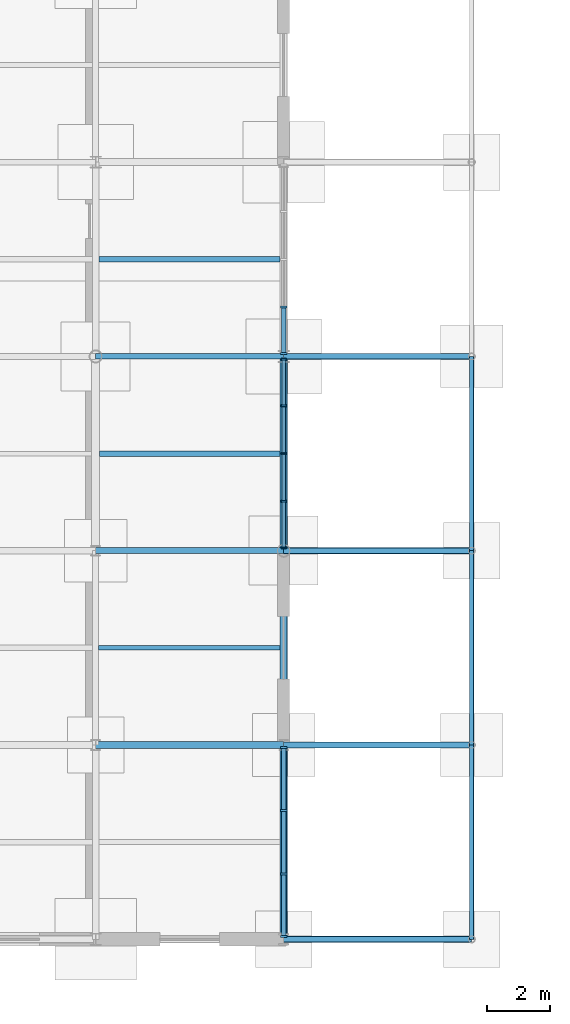
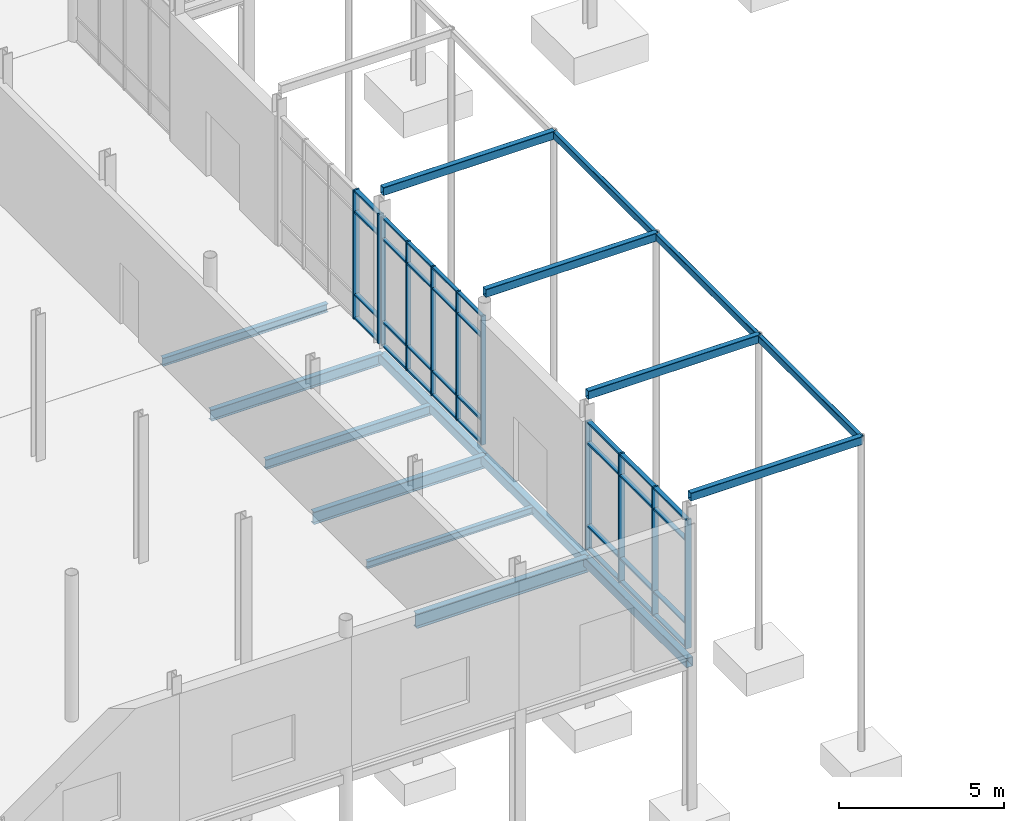
# One storey, part 29 of 98: 43 members, 16 beams, 3 elements without a shape of their own.
"""IFC4 building model written with IfcOpenShell, lengths in metres."""

from ifc_helpers import new_model, si_unit, direction, frame, origin, origin_2d, place, context, subcontext, project, spatial, rectangle, hollow_rectangle, i_section, extrude, material, layer, layer_set, material_profile, profile_set, type_object, element, aggregate, save


model = new_model("IFC4")

# Units and contexts
model_context = context("Model", 3, precision=1e-05, world=origin(), true_north=direction((0.0, 1.0)))
body_context = subcontext(model_context, "Body", "Model", "MODEL_VIEW")
ifc_project = project(units=[si_unit("LENGTHUNIT", "METRE"), si_unit("AREAUNIT", "SQUARE_METRE"), si_unit("VOLUMEUNIT", "CUBIC_METRE"), si_unit("PLANEANGLEUNIT", "RADIAN"), si_unit("MASSUNIT", "GRAM", prefix="KILO")], contexts=[model_context])

# Site, building, storey
site_placement = place(None, origin())
site = spatial("IfcSite", under=ifc_project, at=site_placement, CompositionType="ELEMENT")
building_placement = place(site_placement, origin())
building = spatial("IfcBuilding", under=site, at=building_placement, Name="Mirzam Square Science Centre", CompositionType="ELEMENT")
storey_placement = place(building_placement, origin())
storey = spatial("IfcBuildingStorey", under=building, at=storey_placement, Name="L00", CompositionType="ELEMENT", Elevation=0.0)

# Beams
ifc_material_1 = material(Name="Steel S355", Category="steel")
ifc_material_profile_1 = material_profile(ifc_material_1, i_section(OverallWidth=0.1787109375, OverallDepth=0.409423828125, WebThickness=0.0087890625, FlangeThickness=0.014404296875, FilletRadius=0.01025390625, at=origin_2d()), Name="406x178x67UB")
ifc_profile_set_1 = profile_set([ifc_material_profile_1], Name="Steel S355")
beam_type_1 = type_object("IfcBeamType", Name="BM-UB406", PredefinedType="BEAM", material=ifc_profile_set_1)
beam_1_placement = place(storey_placement, frame((24.0, 18.60009765625, -0.504638671875), z_axis=(1.0, 0.0, 0.0), x_axis=(0.0, 1.0, 0.0)))
element("IfcBeam", 1, at=beam_1_placement, inside=storey, type_object=beam_type_1, Name="L00 girder X5-4", PredefinedType="BEAM", context=body_context, shape_type="SweptSolid", body=[
    extrude(i_section(OverallWidth=0.1787109375, OverallDepth=0.409423828125, WebThickness=0.0087890625, FlangeThickness=0.014404296875, FilletRadius=0.01025390625, at=origin_2d()), origin(), (0.0, 0.0, 1.0), 6.0),
])
ifc_material_profile_2 = material_profile(ifc_material_1, i_section(OverallWidth=0.19140625, OverallDepth=0.4599609375, WebThickness=0.010009765625, FlangeThickness=0.01611328125, FilletRadius=0.01025390625, at=origin_2d()), Name="457x191x82UB")
ifc_profile_set_2 = profile_set([ifc_material_profile_2], Name="Steel S355")
beam_type_2 = type_object("IfcBeamType", Name="BM-UB457", PredefinedType="BEAM", material=ifc_profile_set_2)
beam_2_placement = place(storey_placement, frame((24.0, 12.39990234375, -0.530029296875), z_axis=(1.0, 0.0, 0.0), x_axis=(0.0, 1.0, 0.0)))
element("IfcBeam", 2, at=beam_2_placement, inside=storey, type_object=beam_type_2, Name="L00 girder X5-3", PredefinedType="BEAM", context=body_context, shape_type="SweptSolid", body=[
    extrude(i_section(OverallWidth=0.19140625, OverallDepth=0.4599609375, WebThickness=0.010009765625, FlangeThickness=0.01611328125, FilletRadius=0.01025390625, at=origin_2d()), origin(), (0.0, 0.0, 1.0), 6.0),
])
ifc_material_profile_3 = material_profile(ifc_material_1, i_section(OverallWidth=0.2099609375, OverallDepth=0.53662109375, WebThickness=0.0107421875, FlangeThickness=0.017333984375, FilletRadius=0.0126953125, at=origin_2d()), Name="533x210x101UB")
ifc_profile_set_3 = profile_set([ifc_material_profile_3], Name="Steel S355")
beam_type_3 = type_object("IfcBeamType", Name="BM-UB533", PredefinedType="BEAM", material=ifc_profile_set_3)
beam_3_placement = place(storey_placement, frame((24.0, 6.199951171875, -0.568359375), z_axis=(1.0, 0.0, 0.0), x_axis=(0.0, 1.0, 0.0)))
element("IfcBeam", 3, at=beam_3_placement, inside=storey, type_object=beam_type_3, Name="L00 girder X5-2", PredefinedType="BEAM", context=body_context, shape_type="SweptSolid", body=[
    extrude(i_section(OverallWidth=0.2099609375, OverallDepth=0.53662109375, WebThickness=0.0107421875, FlangeThickness=0.017333984375, FilletRadius=0.0126953125, at=origin_2d()), origin(), (0.0, 0.0, 1.0), 6.0),
])

# Curtain wall, members
ifc_material_2 = material(Name="Anodised Aluminium and Low-E Solar Glass", Category="aluminium")
ifc_layer_1 = layer(ifc_material_2, 0.159912109375)
ifc_layer_set_1 = layer_set([ifc_layer_1], Name="CW-COURT-B")
curtain_wall_type_1 = type_object("IfcCurtainWallType", Name="CW-COURT-B", PredefinedType="USERDEFINED", material=ifc_layer_set_1)
curtain_wall_1_placement = place(storey_placement, origin())
curtain_wall_1 = element("IfcCurtainWall", 4, at=curtain_wall_1_placement, inside=storey, type_object=curtain_wall_type_1, Name="L00 unitised curtain wall 37", ObjectType="UNITISED CURTAIN WALL", PredefinedType="USERDEFINED")
ifc_material_3 = material(Name="Anodised Architectural Aluminium 6063-T6", Category="aluminium")
ifc_material_profile_4 = material_profile(ifc_material_3, rectangle(XDim=0.06005859375, YDim=0.159912109375, at=origin_2d()), Name="ALU-MULL-160x60x4")
ifc_profile_set_4 = profile_set([ifc_material_profile_4], Name="Anodised Architectural Aluminium 6063-T6")
member_type_1 = type_object("IfcMemberType", Name="CWM-160", PredefinedType="MULLION", material=ifc_profile_set_4)
member_1_placement = place(storey_placement, frame((30.0, 12.485107421875, 0.0), z_axis=(0.0, 0.0, 1.0), x_axis=(0.0, 1.0, 0.0)))
member_1 = element("IfcMember", 5, at=member_1_placement, type_object=member_type_1, Name="CW-04 mullion 1", PredefinedType="MULLION", context=body_context, shape_type="SweptSolid", body=[
    extrude(rectangle(XDim=0.06005859375, YDim=0.159912109375, at=origin_2d()), origin(), (0.0, 0.0, 1.0), 4.760009765625),
])
member_2_placement = place(storey_placement, frame((30.0, 13.9775390625, 0.0), z_axis=(0.0, 0.0, 1.0), x_axis=(0.0, 1.0, 0.0)))
member_2 = element("IfcMember", 6, at=member_2_placement, type_object=member_type_1, Name="CW-04 mullion 2", PredefinedType="MULLION", context=body_context, shape_type="SweptSolid", body=[
    extrude(rectangle(XDim=0.06005859375, YDim=0.159912109375, at=origin_2d()), origin(), (0.0, 0.0, 1.0), 4.760009765625),
])
member_3_placement = place(storey_placement, frame((30.0, 15.5, 0.0), z_axis=(0.0, 0.0, 1.0), x_axis=(0.0, 1.0, 0.0)))
member_3 = element("IfcMember", 7, at=member_3_placement, type_object=member_type_1, Name="CW-04 mullion 3", PredefinedType="MULLION", context=body_context, shape_type="SweptSolid", body=[
    extrude(rectangle(XDim=0.06005859375, YDim=0.159912109375, at=origin_2d()), origin(), (0.0, 0.0, 1.0), 4.760009765625),
])
member_4_placement = place(storey_placement, frame((30.0, 17.0224609375, 0.0), z_axis=(0.0, 0.0, 1.0), x_axis=(0.0, 1.0, 0.0)))
member_4 = element("IfcMember", 8, at=member_4_placement, type_object=member_type_1, Name="CW-04 mullion 4", PredefinedType="MULLION", context=body_context, shape_type="SweptSolid", body=[
    extrude(rectangle(XDim=0.06005859375, YDim=0.159912109375, at=origin_2d()), origin(), (0.0, 0.0, 1.0), 4.760009765625),
])
member_5_placement = place(storey_placement, frame((30.0, 18.514892578125, 0.0), z_axis=(0.0, 0.0, 1.0), x_axis=(0.0, 1.0, 0.0)))
member_5 = element("IfcMember", 9, at=member_5_placement, type_object=member_type_1, Name="CW-04 mullion 5", PredefinedType="MULLION", context=body_context, shape_type="SweptSolid", body=[
    extrude(rectangle(XDim=0.06005859375, YDim=0.159912109375, at=origin_2d()), origin(), (0.0, 0.0, 1.0), 4.760009765625),
])

ifc_layer_2 = layer(ifc_material_2, 0.199951171875)
ifc_layer_set_2 = layer_set([ifc_layer_2], Name="CW-PARK-B")
curtain_wall_type_2 = type_object("IfcCurtainWallType", Name="CW-PARK-B", PredefinedType="USERDEFINED", material=ifc_layer_set_2)
curtain_wall_2_placement = place(storey_placement, origin())
curtain_wall_2 = element("IfcCurtainWall", 10, at=curtain_wall_2_placement, inside=storey, type_object=curtain_wall_type_2, Name="L00 unitised curtain wall 36", ObjectType="UNITISED CURTAIN WALL", PredefinedType="USERDEFINED")
ifc_material_profile_5 = material_profile(ifc_material_3, rectangle(XDim=0.06494140625, YDim=0.199951171875, at=origin_2d()), Name="ALU-MULL-200x65x5")
ifc_profile_set_5 = profile_set([ifc_material_profile_5], Name="Anodised Architectural Aluminium 6063-T6")
member_type_2 = type_object("IfcMemberType", Name="CWM-200", PredefinedType="MULLION", material=ifc_profile_set_5)
member_6_placement = place(storey_placement, frame((30.0, 0.08740234375, 0.0), z_axis=(0.0, 0.0, 1.0), x_axis=(0.0, 1.0, 0.0)))
member_6 = element("IfcMember", 11, at=member_6_placement, type_object=member_type_2, Name="CW-02 mullion 1", PredefinedType="MULLION", context=body_context, shape_type="SweptSolid", body=[
    extrude(rectangle(XDim=0.06494140625, YDim=0.199951171875, at=origin_2d()), origin(), (0.0, 0.0, 1.0), 4.760009765625),
])
member_7_placement = place(storey_placement, frame((30.0, 2.0849609375, 0.0), z_axis=(0.0, 0.0, 1.0), x_axis=(0.0, 1.0, 0.0)))
member_7 = element("IfcMember", 12, at=member_7_placement, type_object=member_type_2, Name="CW-02 mullion 2", PredefinedType="MULLION", context=body_context, shape_type="SweptSolid", body=[
    extrude(rectangle(XDim=0.06494140625, YDim=0.199951171875, at=origin_2d()), origin(), (0.0, 0.0, 1.0), 4.760009765625),
])
member_8_placement = place(storey_placement, frame((30.0, 4.114990234375, 0.0), z_axis=(0.0, 0.0, 1.0), x_axis=(0.0, 1.0, 0.0)))
member_8 = element("IfcMember", 13, at=member_8_placement, type_object=member_type_2, Name="CW-02 mullion 3", PredefinedType="MULLION", context=body_context, shape_type="SweptSolid", body=[
    extrude(rectangle(XDim=0.06494140625, YDim=0.199951171875, at=origin_2d()), origin(), (0.0, 0.0, 1.0), 4.760009765625),
])
member_9_placement = place(storey_placement, frame((30.0, 6.112548828125, 0.0), z_axis=(0.0, 0.0, 1.0), x_axis=(0.0, 1.0, 0.0)))
member_9 = element("IfcMember", 14, at=member_9_placement, type_object=member_type_2, Name="CW-02 mullion 4", PredefinedType="MULLION", context=body_context, shape_type="SweptSolid", body=[
    extrude(rectangle(XDim=0.06494140625, YDim=0.199951171875, at=origin_2d()), origin(), (0.0, 0.0, 1.0), 4.760009765625),
])

ifc_layer_3 = layer(ifc_material_2, 0.199951171875)
ifc_layer_set_3 = layer_set([ifc_layer_3], Name="CW-EAST-A")
curtain_wall_type_3 = type_object("IfcCurtainWallType", Name="CW-EAST-A", PredefinedType="USERDEFINED", material=ifc_layer_set_3)
curtain_wall_3_placement = place(storey_placement, origin())
curtain_wall_3 = element("IfcCurtainWall", 15, at=curtain_wall_3_placement, inside=storey, type_object=curtain_wall_type_3, Name="L00 unitised curtain wall 38", ObjectType="UNITISED CURTAIN WALL", PredefinedType="USERDEFINED")
member_10_placement = place(storey_placement, frame((30.0, 18.6875, 0.0), z_axis=(0.0, 0.0, 1.0), x_axis=(0.0, 1.0, 0.0)))
member_10 = element("IfcMember", 16, at=member_10_placement, type_object=member_type_2, Name="CW-05 mullion 1", PredefinedType="MULLION", context=body_context, shape_type="SweptSolid", body=[
    extrude(rectangle(XDim=0.06494140625, YDim=0.199951171875, at=origin_2d()), origin(), (0.0, 0.0, 1.0), 4.760009765625),
])
member_11_placement = place(storey_placement, frame((30.0, 20.177490234375, 0.0), z_axis=(0.0, 0.0, 1.0), x_axis=(0.0, 1.0, 0.0)))
member_11 = element("IfcMember", 17, at=member_11_placement, type_object=member_type_2, Name="CW-05 mullion 2", PredefinedType="MULLION", context=body_context, shape_type="SweptSolid", body=[
    extrude(rectangle(XDim=0.06494140625, YDim=0.199951171875, at=origin_2d()), origin(), (0.0, 0.0, 1.0), 4.760009765625),
])

# Member
ifc_material_profile_6 = material_profile(ifc_material_3, rectangle(XDim=0.1201171875, YDim=0.06005859375, at=origin_2d()), Name="ALU-TRAN-120x60x4")
ifc_profile_set_6 = profile_set([ifc_material_profile_6], Name="Anodised Architectural Aluminium 6063-T6")
member_type_3 = type_object("IfcMemberType", Name="CWT-120", PredefinedType="USERDEFINED", material=ifc_profile_set_6)
member_12_placement = place(storey_placement, frame((30.0, 12.514892578125, 0.030029296875), z_axis=(0.0, 1.0, 0.0), x_axis=(-1.0, 0.0, 0.0)))
member_12 = element("IfcMember", 18, at=member_12_placement, type_object=member_type_3, Name="CW-04 transom 1.1", ObjectType="TRANSOM", PredefinedType="USERDEFINED", context=body_context, shape_type="SweptSolid", body=[
    extrude(rectangle(XDim=0.1201171875, YDim=0.06005859375, at=origin_2d()), origin(), (0.0, 0.0, 1.0), 1.4326171875),
])

member_13_placement = place(storey_placement, frame((30.0, 12.514892578125, 0.89990234375), z_axis=(0.0, 1.0, 0.0), x_axis=(-1.0, 0.0, 0.0)))
member_13 = element("IfcMember", 19, at=member_13_placement, type_object=member_type_3, Name="CW-04 transom 1.2", ObjectType="TRANSOM", PredefinedType="USERDEFINED", context=body_context, shape_type="SweptSolid", body=[
    extrude(rectangle(XDim=0.1201171875, YDim=0.06005859375, at=origin_2d()), origin(), (0.0, 0.0, 1.0), 1.4326171875),
])

member_14_placement = place(storey_placement, frame((30.0, 12.514892578125, 3.9599609375), z_axis=(0.0, 1.0, 0.0), x_axis=(-1.0, 0.0, 0.0)))
member_14 = element("IfcMember", 20, at=member_14_placement, type_object=member_type_3, Name="CW-04 transom 1.3", ObjectType="TRANSOM", PredefinedType="USERDEFINED", context=body_context, shape_type="SweptSolid", body=[
    extrude(rectangle(XDim=0.1201171875, YDim=0.06005859375, at=origin_2d()), origin(), (0.0, 0.0, 1.0), 1.4326171875),
])

member_15_placement = place(storey_placement, frame((30.0, 12.514892578125, 4.72998046875), z_axis=(0.0, 1.0, 0.0), x_axis=(-1.0, 0.0, 0.0)))
member_15 = element("IfcMember", 21, at=member_15_placement, type_object=member_type_3, Name="CW-04 transom 1.4", ObjectType="TRANSOM", PredefinedType="USERDEFINED", context=body_context, shape_type="SweptSolid", body=[
    extrude(rectangle(XDim=0.1201171875, YDim=0.06005859375, at=origin_2d()), origin(), (0.0, 0.0, 1.0), 1.4326171875),
])

member_16_placement = place(storey_placement, frame((30.0, 14.007568359375, 0.030029296875), z_axis=(0.0, 1.0, 0.0), x_axis=(-1.0, 0.0, 0.0)))
member_16 = element("IfcMember", 22, at=member_16_placement, type_object=member_type_3, Name="CW-04 transom 2.1", ObjectType="TRANSOM", PredefinedType="USERDEFINED", context=body_context, shape_type="SweptSolid", body=[
    extrude(rectangle(XDim=0.1201171875, YDim=0.06005859375, at=origin_2d()), origin(), (0.0, 0.0, 1.0), 1.46240234375),
])

member_17_placement = place(storey_placement, frame((30.0, 14.007568359375, 0.89990234375), z_axis=(0.0, 1.0, 0.0), x_axis=(-1.0, 0.0, 0.0)))
member_17 = element("IfcMember", 23, at=member_17_placement, type_object=member_type_3, Name="CW-04 transom 2.2", ObjectType="TRANSOM", PredefinedType="USERDEFINED", context=body_context, shape_type="SweptSolid", body=[
    extrude(rectangle(XDim=0.1201171875, YDim=0.06005859375, at=origin_2d()), origin(), (0.0, 0.0, 1.0), 1.46240234375),
])

member_18_placement = place(storey_placement, frame((30.0, 14.007568359375, 3.9599609375), z_axis=(0.0, 1.0, 0.0), x_axis=(-1.0, 0.0, 0.0)))
member_18 = element("IfcMember", 24, at=member_18_placement, type_object=member_type_3, Name="CW-04 transom 2.3", ObjectType="TRANSOM", PredefinedType="USERDEFINED", context=body_context, shape_type="SweptSolid", body=[
    extrude(rectangle(XDim=0.1201171875, YDim=0.06005859375, at=origin_2d()), origin(), (0.0, 0.0, 1.0), 1.46240234375),
])

member_19_placement = place(storey_placement, frame((30.0, 14.007568359375, 4.72998046875), z_axis=(0.0, 1.0, 0.0), x_axis=(-1.0, 0.0, 0.0)))
member_19 = element("IfcMember", 25, at=member_19_placement, type_object=member_type_3, Name="CW-04 transom 2.4", ObjectType="TRANSOM", PredefinedType="USERDEFINED", context=body_context, shape_type="SweptSolid", body=[
    extrude(rectangle(XDim=0.1201171875, YDim=0.06005859375, at=origin_2d()), origin(), (0.0, 0.0, 1.0), 1.46240234375),
])

member_20_placement = place(storey_placement, frame((30.0, 15.530029296875, 0.030029296875), z_axis=(0.0, 1.0, 0.0), x_axis=(-1.0, 0.0, 0.0)))
member_20 = element("IfcMember", 26, at=member_20_placement, type_object=member_type_3, Name="CW-04 transom 3.1", ObjectType="TRANSOM", PredefinedType="USERDEFINED", context=body_context, shape_type="SweptSolid", body=[
    extrude(rectangle(XDim=0.1201171875, YDim=0.06005859375, at=origin_2d()), origin(), (0.0, 0.0, 1.0), 1.46240234375),
])

member_21_placement = place(storey_placement, frame((30.0, 15.530029296875, 0.89990234375), z_axis=(0.0, 1.0, 0.0), x_axis=(-1.0, 0.0, 0.0)))
member_21 = element("IfcMember", 27, at=member_21_placement, type_object=member_type_3, Name="CW-04 transom 3.2", ObjectType="TRANSOM", PredefinedType="USERDEFINED", context=body_context, shape_type="SweptSolid", body=[
    extrude(rectangle(XDim=0.1201171875, YDim=0.06005859375, at=origin_2d()), origin(), (0.0, 0.0, 1.0), 1.46240234375),
])

member_22_placement = place(storey_placement, frame((30.0, 15.530029296875, 3.9599609375), z_axis=(0.0, 1.0, 0.0), x_axis=(-1.0, 0.0, 0.0)))
member_22 = element("IfcMember", 28, at=member_22_placement, type_object=member_type_3, Name="CW-04 transom 3.3", ObjectType="TRANSOM", PredefinedType="USERDEFINED", context=body_context, shape_type="SweptSolid", body=[
    extrude(rectangle(XDim=0.1201171875, YDim=0.06005859375, at=origin_2d()), origin(), (0.0, 0.0, 1.0), 1.46240234375),
])

member_23_placement = place(storey_placement, frame((30.0, 15.530029296875, 4.72998046875), z_axis=(0.0, 1.0, 0.0), x_axis=(-1.0, 0.0, 0.0)))
member_23 = element("IfcMember", 29, at=member_23_placement, type_object=member_type_3, Name="CW-04 transom 3.4", ObjectType="TRANSOM", PredefinedType="USERDEFINED", context=body_context, shape_type="SweptSolid", body=[
    extrude(rectangle(XDim=0.1201171875, YDim=0.06005859375, at=origin_2d()), origin(), (0.0, 0.0, 1.0), 1.46240234375),
])

member_24_placement = place(storey_placement, frame((30.0, 17.052490234375, 0.030029296875), z_axis=(0.0, 1.0, 0.0), x_axis=(-1.0, 0.0, 0.0)))
member_24 = element("IfcMember", 30, at=member_24_placement, type_object=member_type_3, Name="CW-04 transom 4.1", ObjectType="TRANSOM", PredefinedType="USERDEFINED", context=body_context, shape_type="SweptSolid", body=[
    extrude(rectangle(XDim=0.1201171875, YDim=0.06005859375, at=origin_2d()), origin(), (0.0, 0.0, 1.0), 1.4326171875),
])

member_25_placement = place(storey_placement, frame((30.0, 17.052490234375, 0.89990234375), z_axis=(0.0, 1.0, 0.0), x_axis=(-1.0, 0.0, 0.0)))
member_25 = element("IfcMember", 31, at=member_25_placement, type_object=member_type_3, Name="CW-04 transom 4.2", ObjectType="TRANSOM", PredefinedType="USERDEFINED", context=body_context, shape_type="SweptSolid", body=[
    extrude(rectangle(XDim=0.1201171875, YDim=0.06005859375, at=origin_2d()), origin(), (0.0, 0.0, 1.0), 1.4326171875),
])

member_26_placement = place(storey_placement, frame((30.0, 17.052490234375, 3.9599609375), z_axis=(0.0, 1.0, 0.0), x_axis=(-1.0, 0.0, 0.0)))
member_26 = element("IfcMember", 32, at=member_26_placement, type_object=member_type_3, Name="CW-04 transom 4.3", ObjectType="TRANSOM", PredefinedType="USERDEFINED", context=body_context, shape_type="SweptSolid", body=[
    extrude(rectangle(XDim=0.1201171875, YDim=0.06005859375, at=origin_2d()), origin(), (0.0, 0.0, 1.0), 1.4326171875),
])

member_27_placement = place(storey_placement, frame((30.0, 17.052490234375, 4.72998046875), z_axis=(0.0, 1.0, 0.0), x_axis=(-1.0, 0.0, 0.0)))
member_27 = element("IfcMember", 33, at=member_27_placement, type_object=member_type_3, Name="CW-04 transom 4.4", ObjectType="TRANSOM", PredefinedType="USERDEFINED", context=body_context, shape_type="SweptSolid", body=[
    extrude(rectangle(XDim=0.1201171875, YDim=0.06005859375, at=origin_2d()), origin(), (0.0, 0.0, 1.0), 1.4326171875),
])

aggregate(curtain_wall_1, [member_1, member_2, member_3, member_4, member_5, member_12, member_13, member_14, member_15, member_16, member_17, member_18, member_19, member_20, member_21, member_22, member_23, member_24, member_25, member_26, member_27])

ifc_material_profile_7 = material_profile(ifc_material_3, rectangle(XDim=0.14990234375, YDim=0.06494140625, at=origin_2d()), Name="ALU-TRAN-150x65x4")
ifc_profile_set_7 = profile_set([ifc_material_profile_7], Name="Anodised Architectural Aluminium 6063-T6")
member_type_4 = type_object("IfcMemberType", Name="CWT-150", PredefinedType="USERDEFINED", material=ifc_profile_set_7)
member_28_placement = place(storey_placement, frame((30.0, 0.1201171875, 0.032470703125), z_axis=(0.0, 1.0, 0.0), x_axis=(-1.0, 0.0, 0.0)))
member_28 = element("IfcMember", 34, at=member_28_placement, type_object=member_type_4, Name="CW-02 transom 1.1", ObjectType="TRANSOM", PredefinedType="USERDEFINED", context=body_context, shape_type="SweptSolid", body=[
    extrude(rectangle(XDim=0.14990234375, YDim=0.06494140625, at=origin_2d()), origin(), (0.0, 0.0, 1.0), 1.932373046875),
])

member_29_placement = place(storey_placement, frame((30.0, 0.1201171875, 0.89990234375), z_axis=(0.0, 1.0, 0.0), x_axis=(-1.0, 0.0, 0.0)))
member_29 = element("IfcMember", 35, at=member_29_placement, type_object=member_type_4, Name="CW-02 transom 1.2", ObjectType="TRANSOM", PredefinedType="USERDEFINED", context=body_context, shape_type="SweptSolid", body=[
    extrude(rectangle(XDim=0.14990234375, YDim=0.06494140625, at=origin_2d()), origin(), (0.0, 0.0, 1.0), 1.932373046875),
])

member_30_placement = place(storey_placement, frame((30.0, 0.1201171875, 3.9599609375), z_axis=(0.0, 1.0, 0.0), x_axis=(-1.0, 0.0, 0.0)))
member_30 = element("IfcMember", 36, at=member_30_placement, type_object=member_type_4, Name="CW-02 transom 1.3", ObjectType="TRANSOM", PredefinedType="USERDEFINED", context=body_context, shape_type="SweptSolid", body=[
    extrude(rectangle(XDim=0.14990234375, YDim=0.06494140625, at=origin_2d()), origin(), (0.0, 0.0, 1.0), 1.932373046875),
])

member_31_placement = place(storey_placement, frame((30.0, 0.1201171875, 4.7275390625), z_axis=(0.0, 1.0, 0.0), x_axis=(-1.0, 0.0, 0.0)))
member_31 = element("IfcMember", 37, at=member_31_placement, type_object=member_type_4, Name="CW-02 transom 1.4", ObjectType="TRANSOM", PredefinedType="USERDEFINED", context=body_context, shape_type="SweptSolid", body=[
    extrude(rectangle(XDim=0.14990234375, YDim=0.06494140625, at=origin_2d()), origin(), (0.0, 0.0, 1.0), 1.932373046875),
])

member_32_placement = place(storey_placement, frame((30.0, 2.117431640625, 0.032470703125), z_axis=(0.0, 1.0, 0.0), x_axis=(-1.0, 0.0, 0.0)))
member_32 = element("IfcMember", 38, at=member_32_placement, type_object=member_type_4, Name="CW-02 transom 2.1", ObjectType="TRANSOM", PredefinedType="USERDEFINED", context=body_context, shape_type="SweptSolid", body=[
    extrude(rectangle(XDim=0.14990234375, YDim=0.06494140625, at=origin_2d()), origin(), (0.0, 0.0, 1.0), 1.965087890625),
])

member_33_placement = place(storey_placement, frame((30.0, 2.117431640625, 0.89990234375), z_axis=(0.0, 1.0, 0.0), x_axis=(-1.0, 0.0, 0.0)))
member_33 = element("IfcMember", 39, at=member_33_placement, type_object=member_type_4, Name="CW-02 transom 2.2", ObjectType="TRANSOM", PredefinedType="USERDEFINED", context=body_context, shape_type="SweptSolid", body=[
    extrude(rectangle(XDim=0.14990234375, YDim=0.06494140625, at=origin_2d()), origin(), (0.0, 0.0, 1.0), 1.965087890625),
])

member_34_placement = place(storey_placement, frame((30.0, 2.117431640625, 3.9599609375), z_axis=(0.0, 1.0, 0.0), x_axis=(-1.0, 0.0, 0.0)))
member_34 = element("IfcMember", 40, at=member_34_placement, type_object=member_type_4, Name="CW-02 transom 2.3", ObjectType="TRANSOM", PredefinedType="USERDEFINED", context=body_context, shape_type="SweptSolid", body=[
    extrude(rectangle(XDim=0.14990234375, YDim=0.06494140625, at=origin_2d()), origin(), (0.0, 0.0, 1.0), 1.965087890625),
])

member_35_placement = place(storey_placement, frame((30.0, 2.117431640625, 4.7275390625), z_axis=(0.0, 1.0, 0.0), x_axis=(-1.0, 0.0, 0.0)))
member_35 = element("IfcMember", 41, at=member_35_placement, type_object=member_type_4, Name="CW-02 transom 2.4", ObjectType="TRANSOM", PredefinedType="USERDEFINED", context=body_context, shape_type="SweptSolid", body=[
    extrude(rectangle(XDim=0.14990234375, YDim=0.06494140625, at=origin_2d()), origin(), (0.0, 0.0, 1.0), 1.965087890625),
])

member_36_placement = place(storey_placement, frame((30.0, 4.1474609375, 0.032470703125), z_axis=(0.0, 1.0, 0.0), x_axis=(-1.0, 0.0, 0.0)))
member_36 = element("IfcMember", 42, at=member_36_placement, type_object=member_type_4, Name="CW-02 transom 3.1", ObjectType="TRANSOM", PredefinedType="USERDEFINED", context=body_context, shape_type="SweptSolid", body=[
    extrude(rectangle(XDim=0.14990234375, YDim=0.06494140625, at=origin_2d()), origin(), (0.0, 0.0, 1.0), 1.9326171875),
])

member_37_placement = place(storey_placement, frame((30.0, 4.1474609375, 0.89990234375), z_axis=(0.0, 1.0, 0.0), x_axis=(-1.0, 0.0, 0.0)))
member_37 = element("IfcMember", 43, at=member_37_placement, type_object=member_type_4, Name="CW-02 transom 3.2", ObjectType="TRANSOM", PredefinedType="USERDEFINED", context=body_context, shape_type="SweptSolid", body=[
    extrude(rectangle(XDim=0.14990234375, YDim=0.06494140625, at=origin_2d()), origin(), (0.0, 0.0, 1.0), 1.9326171875),
])

member_38_placement = place(storey_placement, frame((30.0, 4.1474609375, 3.9599609375), z_axis=(0.0, 1.0, 0.0), x_axis=(-1.0, 0.0, 0.0)))
member_38 = element("IfcMember", 44, at=member_38_placement, type_object=member_type_4, Name="CW-02 transom 3.3", ObjectType="TRANSOM", PredefinedType="USERDEFINED", context=body_context, shape_type="SweptSolid", body=[
    extrude(rectangle(XDim=0.14990234375, YDim=0.06494140625, at=origin_2d()), origin(), (0.0, 0.0, 1.0), 1.9326171875),
])

member_39_placement = place(storey_placement, frame((30.0, 4.1474609375, 4.7275390625), z_axis=(0.0, 1.0, 0.0), x_axis=(-1.0, 0.0, 0.0)))
member_39 = element("IfcMember", 45, at=member_39_placement, type_object=member_type_4, Name="CW-02 transom 3.4", ObjectType="TRANSOM", PredefinedType="USERDEFINED", context=body_context, shape_type="SweptSolid", body=[
    extrude(rectangle(XDim=0.14990234375, YDim=0.06494140625, at=origin_2d()), origin(), (0.0, 0.0, 1.0), 1.9326171875),
])

aggregate(curtain_wall_2, [member_6, member_7, member_8, member_9, member_28, member_29, member_30, member_31, member_32, member_33, member_34, member_35, member_36, member_37, member_38, member_39])

member_40_placement = place(storey_placement, frame((30.0, 18.719970703125, 0.032470703125), z_axis=(0.0, 1.0, 0.0), x_axis=(-1.0, 0.0, 0.0)))
member_40 = element("IfcMember", 46, at=member_40_placement, type_object=member_type_4, Name="CW-05 transom 1.1", ObjectType="TRANSOM", PredefinedType="USERDEFINED", context=body_context, shape_type="SweptSolid", body=[
    extrude(rectangle(XDim=0.14990234375, YDim=0.06494140625, at=origin_2d()), origin(), (0.0, 0.0, 1.0), 1.425048828125),
])

member_41_placement = place(storey_placement, frame((30.0, 18.719970703125, 0.89990234375), z_axis=(0.0, 1.0, 0.0), x_axis=(-1.0, 0.0, 0.0)))
member_41 = element("IfcMember", 47, at=member_41_placement, type_object=member_type_4, Name="CW-05 transom 1.2", ObjectType="TRANSOM", PredefinedType="USERDEFINED", context=body_context, shape_type="SweptSolid", body=[
    extrude(rectangle(XDim=0.14990234375, YDim=0.06494140625, at=origin_2d()), origin(), (0.0, 0.0, 1.0), 1.425048828125),
])

member_42_placement = place(storey_placement, frame((30.0, 18.719970703125, 3.9599609375), z_axis=(0.0, 1.0, 0.0), x_axis=(-1.0, 0.0, 0.0)))
member_42 = element("IfcMember", 48, at=member_42_placement, type_object=member_type_4, Name="CW-05 transom 1.3", ObjectType="TRANSOM", PredefinedType="USERDEFINED", context=body_context, shape_type="SweptSolid", body=[
    extrude(rectangle(XDim=0.14990234375, YDim=0.06494140625, at=origin_2d()), origin(), (0.0, 0.0, 1.0), 1.425048828125),
])

member_43_placement = place(storey_placement, frame((30.0, 18.719970703125, 4.7275390625), z_axis=(0.0, 1.0, 0.0), x_axis=(-1.0, 0.0, 0.0)))
member_43 = element("IfcMember", 49, at=member_43_placement, type_object=member_type_4, Name="CW-05 transom 1.4", ObjectType="TRANSOM", PredefinedType="USERDEFINED", context=body_context, shape_type="SweptSolid", body=[
    extrude(rectangle(XDim=0.14990234375, YDim=0.06494140625, at=origin_2d()), origin(), (0.0, 0.0, 1.0), 1.425048828125),
])

aggregate(curtain_wall_3, [member_10, member_11, member_40, member_41, member_42, member_43])

# Beams
ifc_material_profile_8 = material_profile(ifc_material_1, i_section(OverallWidth=0.146484375, OverallDepth=0.256103515625, WebThickness=0.00634765625, FlangeThickness=0.010986328125, FilletRadius=0.007568359375, at=origin_2d()), Name="254x146x37UB")
ifc_profile_set_8 = profile_set([ifc_material_profile_8], Name="Steel S355")
beam_type_4 = type_object("IfcBeamType", Name="JS-UB254", PredefinedType="JOIST", material=ifc_profile_set_8)
beam_4_placement = place(storey_placement, frame((24.095703125, 9.300048828125, -0.427978515625), z_axis=(1.0, 0.0, 0.0), x_axis=(0.0, 1.0, 0.0)))
element("IfcBeam", 50, at=beam_4_placement, inside=storey, type_object=beam_type_4, Name="L00 composite joist 5-2", PredefinedType="JOIST", context=body_context, shape_type="SweptSolid", body=[
    extrude(i_section(OverallWidth=0.146484375, OverallDepth=0.256103515625, WebThickness=0.00634765625, FlangeThickness=0.010986328125, FilletRadius=0.007568359375, at=origin_2d()), origin(), (0.0, 0.0, 1.0), 5.779296875),
])
ifc_material_profile_9 = material_profile(ifc_material_1, i_section(OverallWidth=0.165771484375, OverallDepth=0.306640625, WebThickness=0.006591796875, FlangeThickness=0.01171875, FilletRadius=0.0087890625, at=origin_2d()), Name="305x165x46UB")
ifc_profile_set_9 = profile_set([ifc_material_profile_9], Name="Steel S355")
beam_type_5 = type_object("IfcBeamType", Name="JS-UB305", PredefinedType="JOIST", material=ifc_profile_set_9)
beam_5_placement = place(storey_placement, frame((24.10498046875, 21.699951171875, -0.453369140625), z_axis=(1.0, 0.0, 0.0), x_axis=(0.0, 1.0, 0.0)))
element("IfcBeam", 51, at=beam_5_placement, inside=storey, type_object=beam_type_5, Name="L00 composite joist 5-4", PredefinedType="JOIST", context=body_context, shape_type="SweptSolid", body=[
    extrude(i_section(OverallWidth=0.165771484375, OverallDepth=0.306640625, WebThickness=0.006591796875, FlangeThickness=0.01171875, FilletRadius=0.0087890625, at=origin_2d()), origin(), (0.0, 0.0, 1.0), 5.77001953125),
])
ifc_material_profile_10 = material_profile(ifc_material_1, i_section(OverallWidth=0.172119140625, OverallDepth=0.35791015625, WebThickness=0.008056640625, FlangeThickness=0.012939453125, FilletRadius=0.01025390625, at=origin_2d()), Name="356x171x57UB")
ifc_profile_set_10 = profile_set([ifc_material_profile_10], Name="Steel S355")
beam_type_6 = type_object("IfcBeamType", Name="JS-UB356", PredefinedType="JOIST", material=ifc_profile_set_10)
beam_6_placement = place(storey_placement, frame((24.127197265625, 15.5, -0.47900390625), z_axis=(1.0, 0.0, 0.0), x_axis=(0.0, 1.0, 0.0)))
element("IfcBeam", 52, at=beam_6_placement, inside=storey, type_object=beam_type_6, Name="L00 composite joist 5-3", PredefinedType="JOIST", context=body_context, shape_type="SweptSolid", body=[
    extrude(i_section(OverallWidth=0.172119140625, OverallDepth=0.35791015625, WebThickness=0.008056640625, FlangeThickness=0.012939453125, FilletRadius=0.01025390625, at=origin_2d()), origin(), (0.0, 0.0, 1.0), 5.747802734375),
])
ifc_material_profile_11 = material_profile(ifc_material_1, hollow_rectangle(XDim=0.14990234375, YDim=0.25, WallThickness=0.010009765625, InnerFilletRadius=0.010009765625, OuterFilletRadius=0.02001953125, at=origin_2d()), Name="250x150x10.0RHS")
ifc_profile_set_11 = profile_set([ifc_material_profile_11], Name="Steel S355")
beam_type_7 = type_object("IfcBeamType", Name="SP-RHS250", PredefinedType="SPANDREL", material=ifc_profile_set_11)
for number, where, z_axis, x_axis, name in (
    (53, (36.0, 0.0, 5.669921875), (0.0, 1.0, 0.0), (-1.0, 0.0, 0.0), "WARC colonnade longitudinal beam 1"),
    (54, (36.0, 6.199951171875, 5.669921875), (0.0, 1.0, 0.0), (-1.0, 0.0, 0.0), "WARC colonnade longitudinal beam 2"),
):
    element("IfcBeam", number, at=place(storey_placement, frame(where, z_axis=z_axis, x_axis=x_axis)), inside=storey, type_object=beam_type_7, Name=name, PredefinedType="SPANDREL", context=body_context, shape_type="SweptSolid", body=[
        extrude(hollow_rectangle(XDim=0.14990234375, YDim=0.25, WallThickness=0.010009765625, InnerFilletRadius=0.010009765625, OuterFilletRadius=0.02001953125, at=origin_2d()), origin(), (0.0, 0.0, 1.0), 6.199951171875),
    ])
beam_7_placement = place(storey_placement, frame((36.0, 12.39990234375, 5.669921875), z_axis=(0.0, 1.0, 0.0), x_axis=(-1.0, 0.0, 0.0)))
element("IfcBeam", 55, at=beam_7_placement, inside=storey, type_object=beam_type_7, Name="WARC colonnade longitudinal beam 3", PredefinedType="SPANDREL", context=body_context, shape_type="SweptSolid", body=[
    extrude(hollow_rectangle(XDim=0.14990234375, YDim=0.25, WallThickness=0.010009765625, InnerFilletRadius=0.010009765625, OuterFilletRadius=0.02001953125, at=origin_2d()), origin(), (0.0, 0.0, 1.0), 6.2001953125),
])
ifc_material_profile_12 = material_profile(ifc_material_1, hollow_rectangle(XDim=0.199951171875, YDim=0.300048828125, WallThickness=0.010009765625, InnerFilletRadius=0.010009765625, OuterFilletRadius=0.02001953125, at=origin_2d()), Name="300x200x10.0RHS")
ifc_profile_set_12 = profile_set([ifc_material_profile_12], Name="Steel S355")
beam_type_8 = type_object("IfcBeamType", Name="SP-RHS300", PredefinedType="SPANDREL", material=ifc_profile_set_12)
for number, where, z_axis, x_axis, name in (
    (56, (30.0, 0.0, 5.669921875), (1.0, 0.0, 0.0), (0.0, 1.0, 0.0), "WARC colonnade beam 1"),
    (57, (30.0, 6.199951171875, 5.669921875), (1.0, 0.0, 0.0), (0.0, 1.0, 0.0), "WARC colonnade beam 2"),
    (58, (30.0, 12.39990234375, 5.669921875), (1.0, 0.0, 0.0), (0.0, 1.0, 0.0), "WARC colonnade beam 3"),
    (59, (30.0, 18.60009765625, 5.669921875), (1.0, 0.0, 0.0), (0.0, 1.0, 0.0), "WARC colonnade beam 4"),
):
    element("IfcBeam", number, at=place(storey_placement, frame(where, z_axis=z_axis, x_axis=x_axis)), inside=storey, type_object=beam_type_8, Name=name, PredefinedType="SPANDREL", context=body_context, shape_type="SweptSolid", body=[
        extrude(hollow_rectangle(XDim=0.199951171875, YDim=0.300048828125, WallThickness=0.010009765625, InnerFilletRadius=0.010009765625, OuterFilletRadius=0.02001953125, at=origin_2d()), origin(), (0.0, 0.0, 1.0), 6.0),
    ])
ifc_material_profile_13 = material_profile(ifc_material_1, hollow_rectangle(XDim=0.25, YDim=0.35009765625, WallThickness=0.012451171875, InnerFilletRadius=0.012451171875, OuterFilletRadius=0.02490234375, at=origin_2d()), Name="350x250x12.5RHS")
ifc_profile_set_13 = profile_set([ifc_material_profile_13], Name="Steel S355")
beam_type_9 = type_object("IfcBeamType", Name="SP-RHS350", PredefinedType="SPANDREL", material=ifc_profile_set_13)
for number, where, z_axis, x_axis, name in (
    (60, (30.0, 0.0, -0.47509765625), (0.0, 1.0, 0.0), (-1.0, 0.0, 0.0), "L00 girder Y6-1"),
    (61, (30.0, 6.199951171875, -0.47509765625), (0.0, 1.0, 0.0), (-1.0, 0.0, 0.0), "L00 girder Y6-2"),
):
    element("IfcBeam", number, at=place(storey_placement, frame(where, z_axis=z_axis, x_axis=x_axis)), inside=storey, type_object=beam_type_9, Name=name, PredefinedType="SPANDREL", context=body_context, shape_type="SweptSolid", body=[
        extrude(hollow_rectangle(XDim=0.25, YDim=0.35009765625, WallThickness=0.012451171875, InnerFilletRadius=0.012451171875, OuterFilletRadius=0.02490234375, at=origin_2d()), origin(), (0.0, 0.0, 1.0), 6.199951171875),
    ])
beam_8_placement = place(storey_placement, frame((30.0, 12.39990234375, -0.47509765625), z_axis=(0.0, 1.0, 0.0), x_axis=(-1.0, 0.0, 0.0)))
element("IfcBeam", 62, at=beam_8_placement, inside=storey, type_object=beam_type_9, Name="L00 girder Y6-3", PredefinedType="SPANDREL", context=body_context, shape_type="SweptSolid", body=[
    extrude(hollow_rectangle(XDim=0.25, YDim=0.35009765625, WallThickness=0.012451171875, InnerFilletRadius=0.012451171875, OuterFilletRadius=0.02490234375, at=origin_2d()), origin(), (0.0, 0.0, 1.0), 6.2001953125),
])

save(model, "model.ifc")
